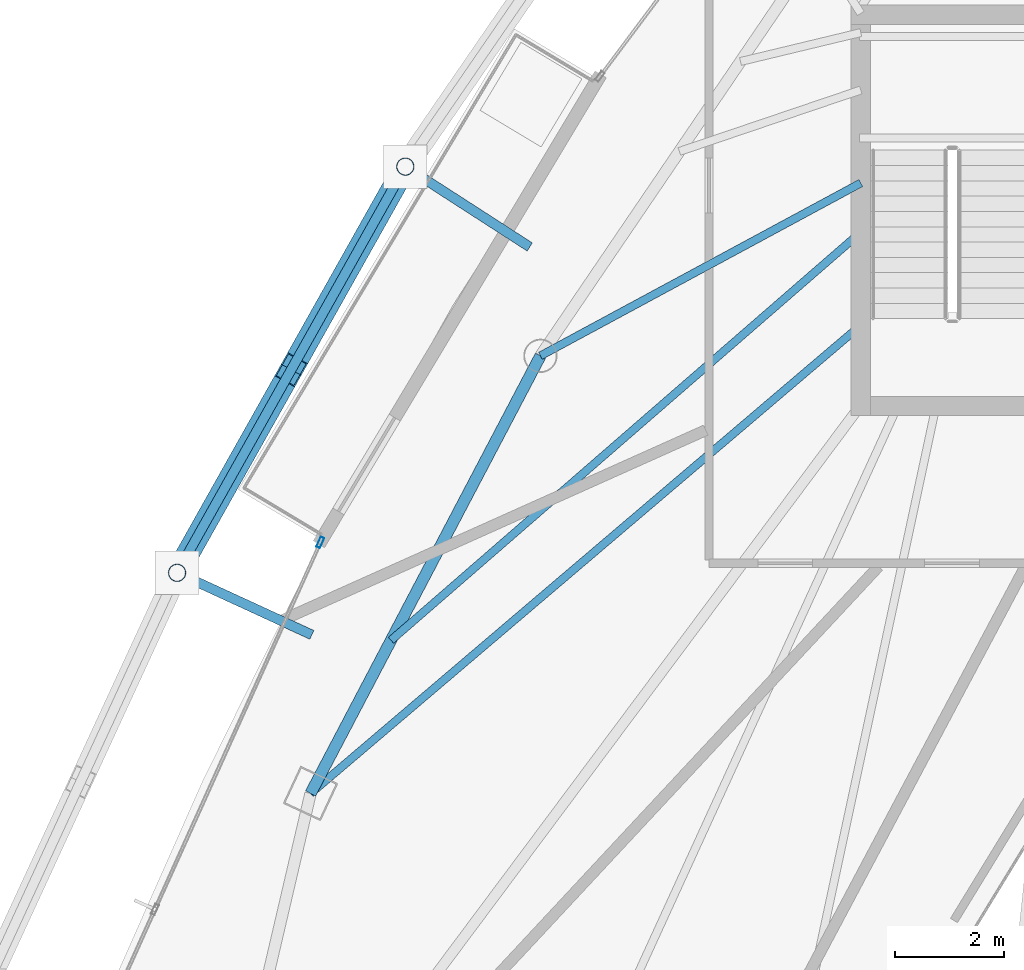
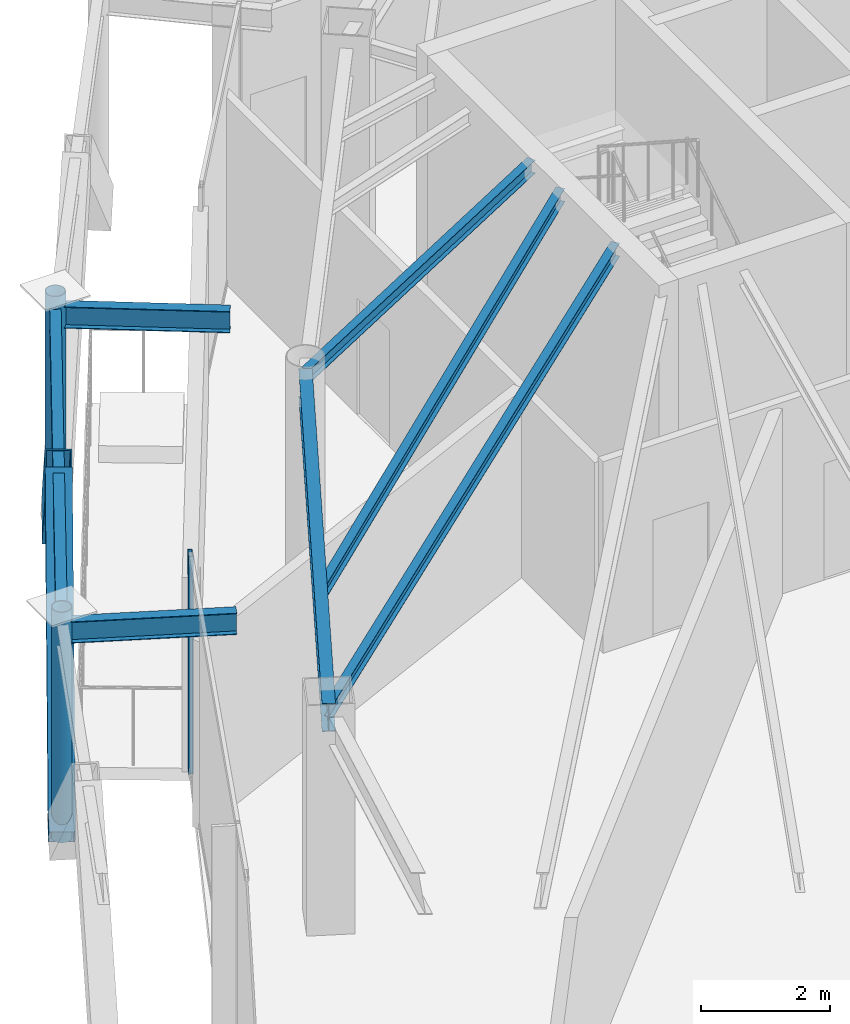
# One storey, part 8 of 25: 7 beams, 5 members, 1 element without a shape of its own.
"""IFC4 building model written with IfcOpenShell, lengths in metres."""

import ifcopenshell
import ifcopenshell.guid

model = None  # the IFC model being written
_history = None  # IfcOwnerHistory: only IFC2X3 demands one
_inside = {}  # id of a spatial element -> (the spatial element, [elements in it])
_under = {}  # id of a project, library or spatial element -> (it, [spatial elements below it])
_declared = {}  # id of a project -> (the project, [libraries it declares])
_typed = {}  # id of a type object -> (the type object, [elements of that type])
_made_of = {}  # id of a material, layer set ... -> (it, [elements and type objects made of it])


def new_model(schema):
    """Start an empty IFC model of exactly this schema.

    Asked for "IFC4X3", IfcOpenShell would pick the latest addendum, in which some entities
    have other attributes; the version numbers below select the first issue.
    IFC2X3 requires an IfcOwnerHistory on every rooted entity: one is made here for all.
    """
    global model, _history
    if schema == "IFC4X3":
        model = ifcopenshell.file(schema_version=(4, 3, 0, 0))
    else:
        model = ifcopenshell.file(schema=schema)
    _inside.clear()
    _under.clear()
    _declared.clear()
    _typed.clear()
    _made_of.clear()
    _history = None
    if model.schema == "IFC2X3":
        org = make("IfcOrganization", Name="unknown")
        user = make(
            "IfcPersonAndOrganization",
            ThePerson=make("IfcPerson", FamilyName="unknown"),
            TheOrganization=org,
        )
        app = make(
            "IfcApplication",
            ApplicationDeveloper=org,
            Version="unknown",
            ApplicationFullName="unknown",
            ApplicationIdentifier="unknown",
        )
        _history = make(
            "IfcOwnerHistory",
            OwningUser=user,
            OwningApplication=app,
            ChangeAction="ADDED",
            CreationDate=0,
        )
    return model


def make(cls, **values):
    """One entity of the class cls with the attributes given. An attribute that is None is left unset."""
    return model.create_entity(
        cls, **{name: value for name, value in values.items() if value is not None}
    )


def rooted(cls, **values):
    """An entity with a GlobalId (a new one), such as an element, a storey or a relation."""
    return make(cls, GlobalId=ifcopenshell.guid.new(), OwnerHistory=_history, **values)


def si_unit(unit_type, name, prefix=None):
    """IfcSIUnit, for example si_unit("LENGTHUNIT", "METRE", prefix="MILLI")."""
    return make("IfcSIUnit", UnitType=unit_type, Prefix=prefix, Name=name)


def assignment(units):
    """IfcUnitAssignment: the units of a project."""
    return None if units is None else make("IfcUnitAssignment", Units=units)


def point(xyz):
    """IfcCartesianPoint."""
    return None if xyz is None else make("IfcCartesianPoint", Coordinates=xyz)


def direction(xyz):
    """IfcDirection."""
    return None if xyz is None else make("IfcDirection", DirectionRatios=xyz)


def frame(location, z_axis=None, x_axis=None):
    """IfcAxis2Placement3D, a coordinate frame: its origin and axes. An axis left out is left unset."""
    return make(
        "IfcAxis2Placement3D",
        Location=point(location),
        Axis=direction(z_axis),
        RefDirection=direction(x_axis),
    )


def frame_2d(location, x_axis=None):
    """IfcAxis2Placement2D, a coordinate frame in the plane: its origin and x axis."""
    return make(
        "IfcAxis2Placement2D", Location=point(location), RefDirection=direction(x_axis)
    )


def origin():
    """The frame at (0, 0, 0) with its axes left unset."""
    return frame((0.0, 0.0, 0.0))


def origin_2d():
    """The frame at (0, 0) in the plane with its x axis left unset."""
    return frame_2d((0.0, 0.0))


def place(relative_to, where):
    """IfcLocalPlacement: puts the frame where relative to a parent placement (None: the world)."""
    return make(
        "IfcLocalPlacement", PlacementRelTo=relative_to, RelativePlacement=where
    )


def context(
    kind, dimensions, precision=None, world=None, true_north=None, identifier=None
):
    """IfcGeometricRepresentationContext, for example the 3D "Model" context."""
    return make(
        "IfcGeometricRepresentationContext",
        ContextIdentifier=identifier,
        ContextType=kind,
        CoordinateSpaceDimension=dimensions,
        Precision=precision,
        WorldCoordinateSystem=world,
        TrueNorth=true_north,
    )


def subcontext(parent, identifier, kind, view, scale=None):
    """IfcGeometricRepresentationSubContext, for example "Body" below "Model"."""
    return make(
        "IfcGeometricRepresentationSubContext",
        ContextIdentifier=identifier,
        ContextType=kind,
        ParentContext=parent,
        TargetScale=scale,
        TargetView=view,
    )


def project(units=None, contexts=None):
    """IfcProject with its units and contexts."""
    return rooted(
        "IfcProject",
        Name="project",
        RepresentationContexts=contexts,
        UnitsInContext=assignment(units),
    )


def spatial(cls, under=None, at=None, **own):
    """A site, building, storey or space (cls), placed at a placement, below another one or the project."""
    s = rooted(cls, ObjectPlacement=at, **own)
    if under is not None:
        _under.setdefault(under.id(), (under, []))[1].append(s)
    return s


def profile(cls, at=None, kind="AREA", **sizes):
    """A parametric profile (cls). Its sizes go by their IFC names, for example OverallWidth=200.0."""
    return make(cls, ProfileType=kind, Position=at, **sizes)


def hollow_rectangle(**sizes):
    """IfcRectangleHollowProfileDef."""
    return profile("IfcRectangleHollowProfileDef", **sizes)


def hollow_circle(**sizes):
    """IfcCircleHollowProfileDef."""
    return profile("IfcCircleHollowProfileDef", **sizes)


def i_section(**sizes):
    """IfcIShapeProfileDef."""
    return profile("IfcIShapeProfileDef", **sizes)


def extrude(swept, where, along, depth):
    """IfcExtrudedAreaSolid: the profile swept, set in the frame where, extruded along a direction by depth."""
    return make(
        "IfcExtrudedAreaSolid",
        SweptArea=swept,
        Position=where,
        ExtrudedDirection=direction(along),
        Depth=depth,
    )


def shape(context_of_items, identifier, shape_type, items):
    """IfcShapeRepresentation: the items that make up one representation, for example the "Body"."""
    return make(
        "IfcShapeRepresentation",
        ContextOfItems=context_of_items,
        RepresentationIdentifier=identifier,
        RepresentationType=shape_type,
        Items=items,
    )


def material(Name=None, Category=None):
    """IfcMaterial."""
    return make("IfcMaterial", Name=Name, Category=Category)


def layer(
    of_material, thickness, ventilated=None, Name=None, Category=None, Priority=None
):
    """IfcMaterialLayer: one layer of a wall or slab, of a material (None: an air gap)."""
    return make(
        "IfcMaterialLayer",
        Material=of_material,
        LayerThickness=thickness,
        IsVentilated=ventilated,
        Name=Name,
        Category=Category,
        Priority=Priority,
    )


def layer_set(layers, Name=None):
    """IfcMaterialLayerSet."""
    return make("IfcMaterialLayerSet", MaterialLayers=layers, LayerSetName=Name)


def material_profile(
    of_material, cross_section, Name=None, Category=None, Priority=None
):
    """IfcMaterialProfile: a cross section and its material."""
    return make(
        "IfcMaterialProfile",
        Name=Name,
        Material=of_material,
        Profile=cross_section,
        Priority=Priority,
        Category=Category,
    )


def profile_set(profiles, Name=None, composite=None):
    """IfcMaterialProfileSet."""
    return make(
        "IfcMaterialProfileSet",
        Name=Name,
        MaterialProfiles=profiles,
        CompositeProfile=composite,
    )


def made_of(thing, what):
    """Note that an element or type object is made of a material, layer set ...; save() writes the relation."""
    if what is not None:
        _made_of.setdefault(what.id(), (what, []))[1].append(thing)
    return thing


def type_object(cls, material=None, **own):
    """A type object (cls), such as IfcWallType, which elements share."""
    return made_of(rooted(cls, **own), material)


def element(
    cls,
    number,
    at=None,
    inside=None,
    cuts=None,
    type_object=None,
    material=None,
    context=None,
    identifier="Body",
    shape_type=None,
    held_by="IfcProductDefinitionShape",
    body=None,
    shapes=None,
    **own,
):
    """One element of the class cls, such as IfcWall. Its Tag is "e" and its number.

    at: its placement. inside: the storey or other place that contains it. cuts: it is an
    opening in that element (IfcRelVoidsElement). A single representation is given by context,
    identifier, shape_type and body (its items); several are given by shapes. held_by: the class
    of the entity that holds the representations. save() writes the other relations.
    """
    e = rooted(cls, Tag="e%d" % number, ObjectPlacement=at, **own)
    if body is not None:
        shapes = [shape(context, identifier, shape_type, body)]
    if shapes is not None:
        e.Representation = make(held_by, Representations=shapes)
    if inside is not None:
        _inside.setdefault(inside.id(), (inside, []))[1].append(e)
    if cuts is not None:
        rooted(
            "IfcRelVoidsElement", RelatingBuildingElement=cuts, RelatedOpeningElement=e
        )
    if type_object is not None:
        _typed.setdefault(type_object.id(), (type_object, []))[1].append(e)
    return made_of(e, material)


def aggregate(whole, parts):
    """IfcRelAggregates: a whole, such as a stair, and the parts it consists of."""
    return rooted("IfcRelAggregates", RelatingObject=whole, RelatedObjects=parts)


def save(model, path):
    """Write the relations noted so far, then the file.

    IfcRelAggregates (storeys below a building ...), IfcRelContainedInSpatialStructure (elements
    in a storey), IfcRelDefinesByType, IfcRelAssociatesMaterial and IfcRelDeclares: one each for
    every whole, place, type object, material and project.
    """
    for whole, parts in _under.values():
        aggregate(whole, parts)
    for where, things in _inside.values():
        rooted(
            "IfcRelContainedInSpatialStructure",
            RelatedElements=things,
            RelatingStructure=where,
        )
    for kind, things in _typed.values():
        rooted("IfcRelDefinesByType", RelatedObjects=things, RelatingType=kind)
    for what, things in _made_of.values():
        rooted("IfcRelAssociatesMaterial", RelatedObjects=things, RelatingMaterial=what)
    for by, libraries in _declared.values():
        rooted("IfcRelDeclares", RelatingContext=by, RelatedDefinitions=libraries)
    model.write(path)


model = new_model("IFC4")

# Units and contexts
model_context = context("Model", 3, precision=1e-05, world=origin(), true_north=direction((0.0, 1.0)))
body_context = subcontext(model_context, "Body", "Model", "MODEL_VIEW")
ifc_project = project(units=[si_unit("LENGTHUNIT", "METRE"), si_unit("AREAUNIT", "SQUARE_METRE"), si_unit("VOLUMEUNIT", "CUBIC_METRE"), si_unit("PLANEANGLEUNIT", "RADIAN"), si_unit("MASSUNIT", "GRAM", prefix="KILO")], contexts=[model_context])

# Site, building, storey
site_placement = place(None, origin())
site = spatial("IfcSite", under=ifc_project, at=site_placement, CompositionType="ELEMENT")
building_placement = place(site_placement, origin())
building = spatial("IfcBuilding", under=site, at=building_placement, Name="Orvanel Arch Residences", CompositionType="ELEMENT")
storey_placement = place(building_placement, frame((0.0, 0.0, 236.0)))
storey = spatial("IfcBuildingStorey", under=building, at=storey_placement, Name="L67", CompositionType="ELEMENT", Elevation=236.0)

# Beams
ifc_material_1 = material(Name="Structural steel AS/NZS 3679.1 Grade 300 (300 MPa)", Category="steel")
ifc_material_profile_1 = material_profile(ifc_material_1, i_section(OverallWidth=0.14599609375, OverallDepth=0.251953125, WebThickness=0.006103515625, FlangeThickness=0.008544921875, at=origin_2d()), Name="250UB31.4")
ifc_profile_set_1 = profile_set([ifc_material_profile_1], Name="Structural steel AS/NZS 3679.1 Grade 300 (300 MPa)")
beam_type_1 = type_object("IfcBeamType", Name="BJ-250UB", PredefinedType="JOIST", material=ifc_profile_set_1)
beam_1_placement = place(storey_placement, frame((26.425048828125, 30.800048828125, 3.98388671875), z_axis=(-0.880111494021, -0.474767056664, 0.0), x_axis=(0.474767056664, -0.880111494021, 0.0)))
element("IfcBeam", 1, at=beam_1_placement, inside=storey, type_object=beam_type_1, Name="L67 NW Wing Floor Joist", PredefinedType="JOIST", context=body_context, shape_type="SweptSolid", body=[
    extrude(i_section(OverallWidth=0.14599609375, OverallDepth=0.251953125, WebThickness=0.006103515625, FlangeThickness=0.008544921875, at=origin_2d()), origin(), (0.0, 0.0, 1.0), 6.653564453125),
])
beam_2_placement = place(storey_placement, frame((26.425048828125, 28.199951171875, 3.98388671875), z_axis=(-0.761622669031, -0.64802076357, 0.0), x_axis=(0.64802076357, -0.761622669031, 0.0)))
element("IfcBeam", 2, at=beam_2_placement, inside=storey, type_object=beam_type_1, Name="L67 W Wing Floor Joist", PredefinedType="JOIST", context=body_context, shape_type="SweptSolid", body=[
    extrude(i_section(OverallWidth=0.14599609375, OverallDepth=0.251953125, WebThickness=0.006103515625, FlangeThickness=0.008544921875, at=origin_2d()), origin(), (0.0, 0.0, 1.0), 13.2060546875),
])
beam_3_placement = place(storey_placement, frame((26.425048828125, 29.89990234375, 3.98388671875), z_axis=(-0.755000957585, -0.655723687269, 0.0), x_axis=(0.655723687269, -0.755000957585, 0.0)))
element("IfcBeam", 3, at=beam_3_placement, inside=storey, type_object=beam_type_1, Name="L67 CTW Wing Floor Joist", PredefinedType="JOIST", context=body_context, shape_type="SweptSolid", body=[
    extrude(i_section(OverallWidth=0.14599609375, OverallDepth=0.251953125, WebThickness=0.006103515625, FlangeThickness=0.008544921875, at=origin_2d()), origin(), (0.0, 0.0, 1.0), 11.373779296875),
])

# Members
ifc_material_2 = material(Name="Structural steel AS/NZS 3678 Grade 350", Category="steel")
ifc_material_profile_2 = material_profile(ifc_material_2, hollow_rectangle(XDim=0.419921875, YDim=0.719970703125, WallThickness=0.02490234375, at=origin_2d()), Name="RHS720x420x25")
ifc_profile_set_2 = profile_set([ifc_material_profile_2], Name="Structural steel AS/NZS 3678 Grade 350")
member_type_1 = type_object("IfcMemberType", Name="BR-720RHS-EXT", PredefinedType="BRACE", material=ifc_profile_set_2)
member_1_placement = place(storey_placement, frame((18.09912109375, 31.09912109375, 0.0), z_axis=(-0.360846866588, -0.642392765071, 0.676107294931), x_axis=(0.871864810977, -0.48974661957, 0.0)))
element("IfcMember", 4, at=member_1_placement, inside=storey, type_object=member_type_1, Name="L67 Exterior Sky-Garden V-Frame Chevron F1B2.1", PredefinedType="BRACE", context=body_context, shape_type="SweptSolid", body=[
    extrude(hollow_rectangle(XDim=0.419921875, YDim=0.719970703125, WallThickness=0.02490234375, at=origin_2d()), origin(), (0.0, 0.0, 1.0), 5.778564453125),
])
member_2_placement = place(storey_placement, frame((13.927978515625, 23.675048828125, 0.0), z_axis=(0.360966897346, 0.642338565922, 0.676094716552), x_axis=(-0.871777594725, 0.489901852758, 0.0)))
element("IfcMember", 5, at=member_2_placement, inside=storey, type_object=member_type_1, Name="L67 Exterior Sky-Garden V-Frame Chevron F1B2.2", PredefinedType="BRACE", context=body_context, shape_type="SweptSolid", body=[
    extrude(hollow_rectangle(XDim=0.419921875, YDim=0.719970703125, WallThickness=0.02490234375, at=origin_2d()), origin(), (0.0, 0.0, 1.0), 5.77880859375),
])

# Curtain wall, member
ifc_material_3 = material(Name="Bronze-anodised aluminium AA6063-T6", Category="aluminium")
ifc_layer = layer(ifc_material_3, 0.195068359375)
ifc_layer_set = layer_set([ifc_layer], Name="Bronze-anodised aluminium AA6063-T6")
curtain_wall_type = type_object("IfcCurtainWallType", Name="CW6-COM-SYS", PredefinedType="NOTDEFINED", material=ifc_layer_set)
curtain_wall_placement = place(storey_placement, origin())
curtain_wall = element("IfcCurtainWall", 6, at=curtain_wall_placement, inside=storey, type_object=curtain_wall_type, Name="L67 CW6-COM-SYS Unitised Curtain Wall", PredefinedType="NOTDEFINED")
ifc_material_profile_3 = material_profile(ifc_material_3, hollow_rectangle(XDim=0.074951171875, YDim=0.199951171875, WallThickness=0.0048828125, at=origin_2d()), Name="ALU200x75x5")
ifc_profile_set_3 = profile_set([ifc_material_profile_3], Name="Bronze-anodised aluminium AA6063-T6")
member_type_2 = type_object("IfcMemberType", Name="MUL-200x75", PredefinedType="MULLION", material=ifc_profile_set_3)
member_3_placement = place(storey_placement, frame((16.545654296875, 24.230712890625, 0.0), z_axis=(0.0, 0.0, 1.0), x_axis=(0.911688579875, -0.410881897052, 0.0)))
member_3 = element("IfcMember", 7, at=member_3_placement, type_object=member_type_2, Name="CW-S6 mullion 1", PredefinedType="MULLION", context=body_context, shape_type="SweptSolid", body=[
    extrude(hollow_rectangle(XDim=0.074951171875, YDim=0.199951171875, WallThickness=0.0048828125, at=origin_2d()), origin(), (0.0, 0.0, 1.0), 4.110107421875),
])
aggregate(curtain_wall, [member_3])

# Beams
ifc_material_profile_4 = material_profile(ifc_material_1, i_section(OverallWidth=0.177978515625, OverallDepth=0.406005859375, WebThickness=0.0078125, FlangeThickness=0.0126953125, at=origin_2d()), Name="410UB59.7")
ifc_profile_set_4 = profile_set([ifc_material_profile_4], Name="Structural steel AS/NZS 3679.1 Grade 300 (300 MPa)")
beam_type_2 = type_object("IfcBeamType", Name="OB-410UB-EXT", PredefinedType="SPANDREL", material=ifc_profile_set_4)
beam_4_placement = place(storey_placement, frame((20.3740234375, 29.631103515625, 3.906982421875), z_axis=(-0.840239663799, 0.542215185493, 0.0), x_axis=(-0.542215185493, -0.840239663799, 0.0)))
element("IfcBeam", 8, at=beam_4_placement, inside=storey, type_object=beam_type_2, Name="L67 Outer Frame Radial Tie Beam 02", PredefinedType="SPANDREL", context=body_context, shape_type="SweptSolid", body=[
    extrude(i_section(OverallWidth=0.177978515625, OverallDepth=0.406005859375, WebThickness=0.0078125, FlangeThickness=0.0126953125, at=origin_2d()), origin(), (0.0, 0.0, 1.0), 2.70751953125),
])
beam_5_placement = place(storey_placement, frame((18.09912109375, 31.09912109375, 3.906982421875), z_axis=(-0.489824239435, -0.871821205559, 0.0), x_axis=(0.871821205559, -0.489824239435, 0.0)))
element("IfcBeam", 9, at=beam_5_placement, inside=storey, type_object=beam_type_2, Name="L67 Outer Perimeter Floor Ring Beam 02", PredefinedType="SPANDREL", context=body_context, shape_type="SweptSolid", body=[
    extrude(i_section(OverallWidth=0.177978515625, OverallDepth=0.406005859375, WebThickness=0.0078125, FlangeThickness=0.0126953125, at=origin_2d()), origin(), (0.0, 0.0, 1.0), 8.515625),
])
beam_6_placement = place(storey_placement, frame((16.39111328125, 22.541015625, 3.906982421875), z_axis=(-0.908351621436, 0.418207283335, 0.0), x_axis=(-0.418207283335, -0.908351621436, 0.0)))
element("IfcBeam", 10, at=beam_6_placement, inside=storey, type_object=beam_type_2, Name="L67 Outer Frame Radial Tie Beam 03", PredefinedType="SPANDREL", context=body_context, shape_type="SweptSolid", body=[
    extrude(i_section(OverallWidth=0.177978515625, OverallDepth=0.406005859375, WebThickness=0.0078125, FlangeThickness=0.0126953125, at=origin_2d()), origin(), (0.0, 0.0, 1.0), 2.711669921875),
])
ifc_material_profile_5 = material_profile(ifc_material_1, i_section(OverallWidth=0.208984375, OverallDepth=0.532958984375, WebThickness=0.01025390625, FlangeThickness=0.015625, at=origin_2d()), Name="530UB92.4")
ifc_profile_set_5 = profile_set([ifc_material_profile_5], Name="Structural steel AS/NZS 3679.1 Grade 300 (300 MPa)")
beam_type_3 = type_object("IfcBeamType", Name="SP-530UB", PredefinedType="SPANDREL", material=ifc_profile_set_5)
beam_7_placement = place(storey_placement, frame((20.569091796875, 27.64111328125, 3.843994140625), z_axis=(-0.465064762793, -0.885276660942, 0.0), x_axis=(0.885276660942, -0.465064762793, 0.0)))
element("IfcBeam", 11, at=beam_7_placement, inside=storey, type_object=beam_type_3, Name="L67 Perimeter Spandrel Beam 12", PredefinedType="SPANDREL", context=body_context, shape_type="SweptSolid", body=[
    extrude(i_section(OverallWidth=0.208984375, OverallDepth=0.532958984375, WebThickness=0.01025390625, FlangeThickness=0.015625, at=origin_2d()), origin(), (0.0, 0.0, 1.0), 9.03564453125),
])

# Members
ifc_material_4 = material(Name="Structural steel AS/NZS 1163 C350L0 (Grade 350)", Category="steel")
ifc_material_profile_6 = material_profile(ifc_material_4, hollow_circle(Radius=0.162109375, WallThickness=0.0126953125, at=origin_2d()), Name="CHS324x12.7")
ifc_profile_set_6 = profile_set([ifc_material_profile_6], Name="Structural steel AS/NZS 1163 C350L0 (Grade 350)")
member_type_3 = type_object("IfcMemberType", Name="ST-324CHS-EXT", PredefinedType="STRUT", material=ifc_profile_set_6)
for number, where, z_axis, x_axis, name in (
    (12, (18.09912109375, 31.09912109375, 0.0), (0.0, 0.0, 1.0), (1.0, 0.0, 0.0), "L67 Outer Perimeter Frame Post 02"),
    (13, (13.927978515625, 23.675048828125, 0.0), (0.0, 0.0, 1.0), (1.0, 0.0, 0.0), "L67 Outer Perimeter Frame Post 03"),
):
    element("IfcMember", number, at=place(storey_placement, frame(where, z_axis=z_axis, x_axis=x_axis)), inside=storey, type_object=member_type_3, Name=name, PredefinedType="STRUT", context=body_context, shape_type="SweptSolid", body=[
        extrude(hollow_circle(Radius=0.162109375, WallThickness=0.0126953125, at=origin_2d()), origin(), (0.0, 0.0, 1.0), 4.35009765625),
    ])

save(model, "model.ifc")
